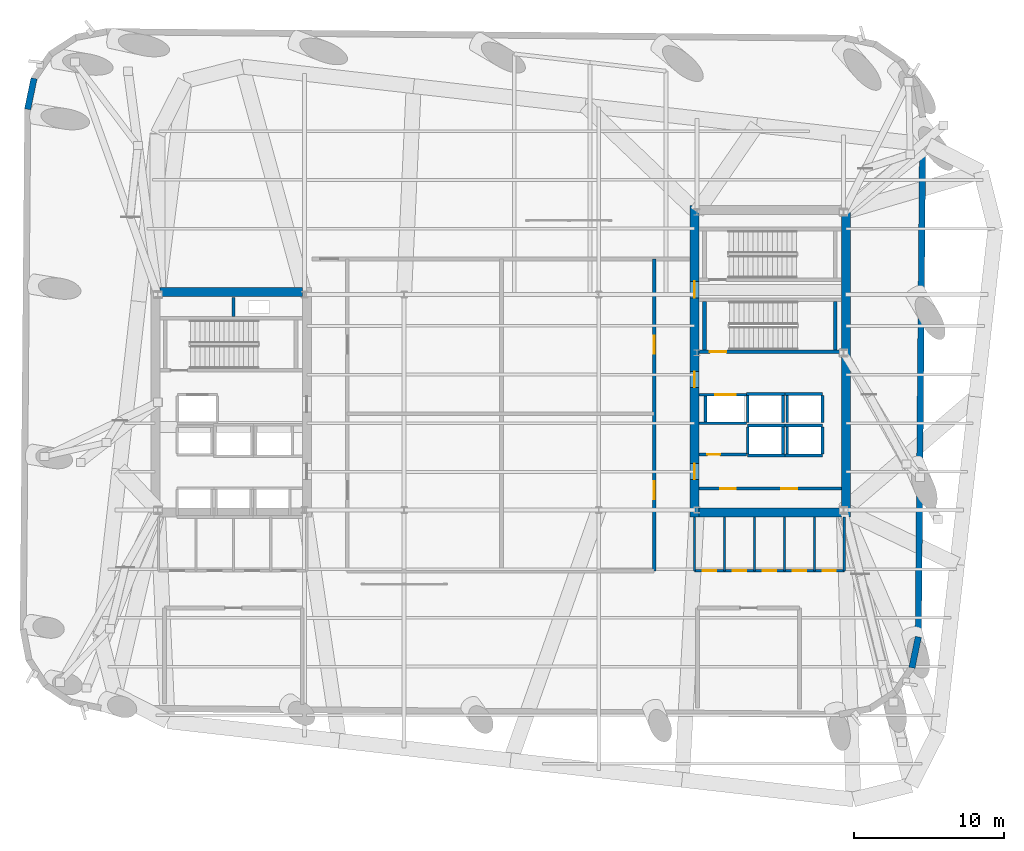
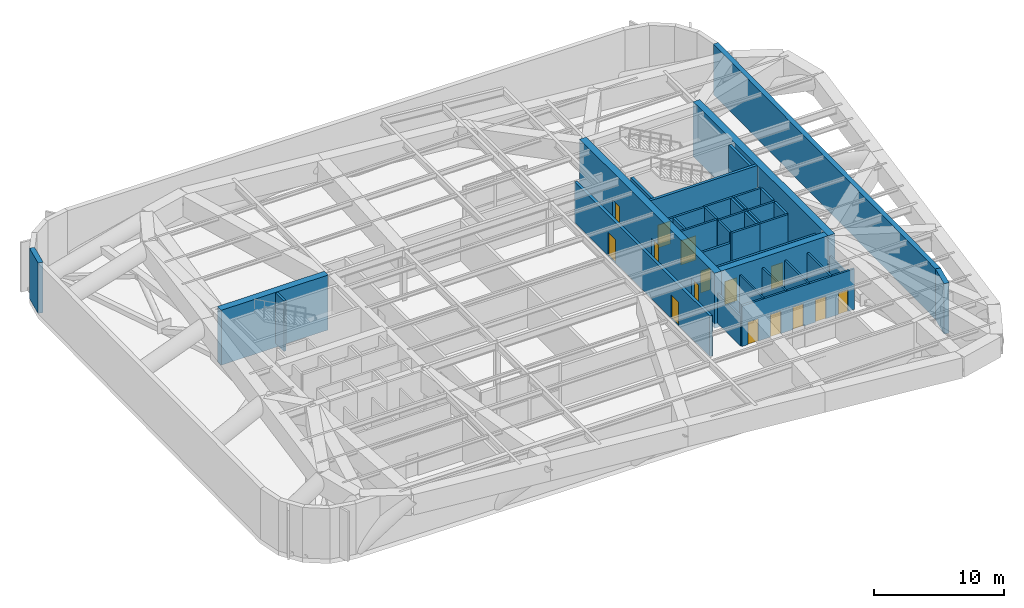
# One storey, part 8 of 13: 38 walls, 15 doors, 15 openings.
"""IFC4 building model written with IfcOpenShell, lengths in metres."""

import ifcopenshell
import ifcopenshell.guid

model = None  # the IFC model being written
_history = None  # IfcOwnerHistory: only IFC2X3 demands one
_inside = {}  # id of a spatial element -> (the spatial element, [elements in it])
_under = {}  # id of a project, library or spatial element -> (it, [spatial elements below it])
_declared = {}  # id of a project -> (the project, [libraries it declares])
_typed = {}  # id of a type object -> (the type object, [elements of that type])
_made_of = {}  # id of a material, layer set ... -> (it, [elements and type objects made of it])


def new_model(schema):
    """Start an empty IFC model of exactly this schema.

    Asked for "IFC4X3", IfcOpenShell would pick the latest addendum, in which some entities
    have other attributes; the version numbers below select the first issue.
    IFC2X3 requires an IfcOwnerHistory on every rooted entity: one is made here for all.
    """
    global model, _history
    if schema == "IFC4X3":
        model = ifcopenshell.file(schema_version=(4, 3, 0, 0))
    else:
        model = ifcopenshell.file(schema=schema)
    _inside.clear()
    _under.clear()
    _declared.clear()
    _typed.clear()
    _made_of.clear()
    _history = None
    if model.schema == "IFC2X3":
        org = make("IfcOrganization", Name="unknown")
        user = make(
            "IfcPersonAndOrganization",
            ThePerson=make("IfcPerson", FamilyName="unknown"),
            TheOrganization=org,
        )
        app = make(
            "IfcApplication",
            ApplicationDeveloper=org,
            Version="unknown",
            ApplicationFullName="unknown",
            ApplicationIdentifier="unknown",
        )
        _history = make(
            "IfcOwnerHistory",
            OwningUser=user,
            OwningApplication=app,
            ChangeAction="ADDED",
            CreationDate=0,
        )
    return model


def make(cls, **values):
    """One entity of the class cls with the attributes given. An attribute that is None is left unset."""
    return model.create_entity(
        cls, **{name: value for name, value in values.items() if value is not None}
    )


def rooted(cls, **values):
    """An entity with a GlobalId (a new one), such as an element, a storey or a relation."""
    return make(cls, GlobalId=ifcopenshell.guid.new(), OwnerHistory=_history, **values)


def si_unit(unit_type, name, prefix=None):
    """IfcSIUnit, for example si_unit("LENGTHUNIT", "METRE", prefix="MILLI")."""
    return make("IfcSIUnit", UnitType=unit_type, Prefix=prefix, Name=name)


def assignment(units):
    """IfcUnitAssignment: the units of a project."""
    return None if units is None else make("IfcUnitAssignment", Units=units)


def point(xyz):
    """IfcCartesianPoint."""
    return None if xyz is None else make("IfcCartesianPoint", Coordinates=xyz)


def direction(xyz):
    """IfcDirection."""
    return None if xyz is None else make("IfcDirection", DirectionRatios=xyz)


def frame(location, z_axis=None, x_axis=None):
    """IfcAxis2Placement3D, a coordinate frame: its origin and axes. An axis left out is left unset."""
    return make(
        "IfcAxis2Placement3D",
        Location=point(location),
        Axis=direction(z_axis),
        RefDirection=direction(x_axis),
    )


def frame_2d(location, x_axis=None):
    """IfcAxis2Placement2D, a coordinate frame in the plane: its origin and x axis."""
    return make(
        "IfcAxis2Placement2D", Location=point(location), RefDirection=direction(x_axis)
    )


def origin():
    """The frame at (0, 0, 0) with its axes left unset."""
    return frame((0.0, 0.0, 0.0))


def place(relative_to, where):
    """IfcLocalPlacement: puts the frame where relative to a parent placement (None: the world)."""
    return make(
        "IfcLocalPlacement", PlacementRelTo=relative_to, RelativePlacement=where
    )


def context(
    kind, dimensions, precision=None, world=None, true_north=None, identifier=None
):
    """IfcGeometricRepresentationContext, for example the 3D "Model" context."""
    return make(
        "IfcGeometricRepresentationContext",
        ContextIdentifier=identifier,
        ContextType=kind,
        CoordinateSpaceDimension=dimensions,
        Precision=precision,
        WorldCoordinateSystem=world,
        TrueNorth=true_north,
    )


def subcontext(parent, identifier, kind, view, scale=None):
    """IfcGeometricRepresentationSubContext, for example "Body" below "Model"."""
    return make(
        "IfcGeometricRepresentationSubContext",
        ContextIdentifier=identifier,
        ContextType=kind,
        ParentContext=parent,
        TargetScale=scale,
        TargetView=view,
    )


def project(units=None, contexts=None):
    """IfcProject with its units and contexts."""
    return rooted(
        "IfcProject",
        Name="project",
        RepresentationContexts=contexts,
        UnitsInContext=assignment(units),
    )


def spatial(cls, under=None, at=None, **own):
    """A site, building, storey or space (cls), placed at a placement, below another one or the project."""
    s = rooted(cls, ObjectPlacement=at, **own)
    if under is not None:
        _under.setdefault(under.id(), (under, []))[1].append(s)
    return s


def profile(cls, at=None, kind="AREA", **sizes):
    """A parametric profile (cls). Its sizes go by their IFC names, for example OverallWidth=200.0."""
    return make(cls, ProfileType=kind, Position=at, **sizes)


def rectangle(**sizes):
    """IfcRectangleProfileDef."""
    return profile("IfcRectangleProfileDef", **sizes)


def extrude(swept, where, along, depth):
    """IfcExtrudedAreaSolid: the profile swept, set in the frame where, extruded along a direction by depth."""
    return make(
        "IfcExtrudedAreaSolid",
        SweptArea=swept,
        Position=where,
        ExtrudedDirection=direction(along),
        Depth=depth,
    )


def shape(context_of_items, identifier, shape_type, items):
    """IfcShapeRepresentation: the items that make up one representation, for example the "Body"."""
    return make(
        "IfcShapeRepresentation",
        ContextOfItems=context_of_items,
        RepresentationIdentifier=identifier,
        RepresentationType=shape_type,
        Items=items,
    )


def material(Name=None, Category=None):
    """IfcMaterial."""
    return make("IfcMaterial", Name=Name, Category=Category)


def layer(
    of_material, thickness, ventilated=None, Name=None, Category=None, Priority=None
):
    """IfcMaterialLayer: one layer of a wall or slab, of a material (None: an air gap)."""
    return make(
        "IfcMaterialLayer",
        Material=of_material,
        LayerThickness=thickness,
        IsVentilated=ventilated,
        Name=Name,
        Category=Category,
        Priority=Priority,
    )


def layer_set(layers, Name=None):
    """IfcMaterialLayerSet."""
    return make("IfcMaterialLayerSet", MaterialLayers=layers, LayerSetName=Name)


def made_of(thing, what):
    """Note that an element or type object is made of a material, layer set ...; save() writes the relation."""
    if what is not None:
        _made_of.setdefault(what.id(), (what, []))[1].append(thing)
    return thing


def type_object(cls, material=None, **own):
    """A type object (cls), such as IfcWallType, which elements share."""
    return made_of(rooted(cls, **own), material)


def element(
    cls,
    number,
    at=None,
    inside=None,
    cuts=None,
    type_object=None,
    material=None,
    context=None,
    identifier="Body",
    shape_type=None,
    held_by="IfcProductDefinitionShape",
    body=None,
    shapes=None,
    **own,
):
    """One element of the class cls, such as IfcWall. Its Tag is "e" and its number.

    at: its placement. inside: the storey or other place that contains it. cuts: it is an
    opening in that element (IfcRelVoidsElement). A single representation is given by context,
    identifier, shape_type and body (its items); several are given by shapes. held_by: the class
    of the entity that holds the representations. save() writes the other relations.
    """
    e = rooted(cls, Tag="e%d" % number, ObjectPlacement=at, **own)
    if body is not None:
        shapes = [shape(context, identifier, shape_type, body)]
    if shapes is not None:
        e.Representation = make(held_by, Representations=shapes)
    if inside is not None:
        _inside.setdefault(inside.id(), (inside, []))[1].append(e)
    if cuts is not None:
        rooted(
            "IfcRelVoidsElement", RelatingBuildingElement=cuts, RelatedOpeningElement=e
        )
    if type_object is not None:
        _typed.setdefault(type_object.id(), (type_object, []))[1].append(e)
    return made_of(e, material)


def fill(opening, filler):
    """IfcRelFillsElement: the door or window that sits in an opening."""
    return rooted(
        "IfcRelFillsElement",
        RelatingOpeningElement=opening,
        RelatedBuildingElement=filler,
    )


def aggregate(whole, parts):
    """IfcRelAggregates: a whole, such as a stair, and the parts it consists of."""
    return rooted("IfcRelAggregates", RelatingObject=whole, RelatedObjects=parts)


def save(model, path):
    """Write the relations noted so far, then the file.

    IfcRelAggregates (storeys below a building ...), IfcRelContainedInSpatialStructure (elements
    in a storey), IfcRelDefinesByType, IfcRelAssociatesMaterial and IfcRelDeclares: one each for
    every whole, place, type object, material and project.
    """
    for whole, parts in _under.values():
        aggregate(whole, parts)
    for where, things in _inside.values():
        rooted(
            "IfcRelContainedInSpatialStructure",
            RelatedElements=things,
            RelatingStructure=where,
        )
    for kind, things in _typed.values():
        rooted("IfcRelDefinesByType", RelatedObjects=things, RelatingType=kind)
    for what, things in _made_of.values():
        rooted("IfcRelAssociatesMaterial", RelatedObjects=things, RelatingMaterial=what)
    for by, libraries in _declared.values():
        rooted("IfcRelDeclares", RelatingContext=by, RelatedDefinitions=libraries)
    model.write(path)


model = new_model("IFC4")

# Units and contexts
model_context = context("Model", 3, precision=1e-05, world=origin(), true_north=direction((0.0, 1.0)))
body_context = subcontext(model_context, "Body", "Model", "MODEL_VIEW")
ifc_project = project(units=[si_unit("LENGTHUNIT", "METRE"), si_unit("AREAUNIT", "SQUARE_METRE"), si_unit("VOLUMEUNIT", "CUBIC_METRE"), si_unit("PLANEANGLEUNIT", "RADIAN"), si_unit("MASSUNIT", "GRAM", prefix="KILO")], contexts=[model_context])

# Site, building, storey
site_placement = place(None, origin())
site = spatial("IfcSite", under=ifc_project, at=site_placement, CompositionType="ELEMENT")
building_placement = place(site_placement, origin())
building = spatial("IfcBuilding", under=site, at=building_placement, Name="Kolvaren Arena Tower", CompositionType="ELEMENT")
storey_placement = place(building_placement, frame((0.0, 0.0, 210.949951171875)))
storey = spatial("IfcBuildingStorey", under=building, at=storey_placement, Name="L51", CompositionType="ELEMENT", Elevation=210.949951171875)

# Wall
ifc_material_1 = material(Name="Concrete 60 MPa", Category="concrete")
ifc_layer_1 = layer(ifc_material_1, 0.60009765625)
ifc_layer_set_1 = layer_set([ifc_layer_1], Name="Concrete 60 MPa")
wall_type_1 = type_object("IfcWallType", Name="CWALL-600", PredefinedType="SHEAR", material=ifc_layer_set_1)
wall_1_placement = place(storey_placement, frame((14.699951171875, 34.0, -0.419921875), z_axis=(0.0, 0.0, 1.0), x_axis=(1.0, 0.0, 0.0)))
element("IfcWall", 1, at=wall_1_placement, inside=storey, type_object=wall_type_1, Name="Core Shear Wall WC-NORTH (L51)", PredefinedType="SHEAR", context=body_context, shape_type="SweptSolid", body=[
    extrude(rectangle(XDim=9.5, YDim=0.60009765625, at=frame_2d((4.75, 0.0))), origin(), (0.0, 0.0, 1.0), 5.169921875),
])

# Wall, openings, doors
wall_2_placement = place(storey_placement, frame((50.39990234375, 19.0, -0.419921875), z_axis=(0.0, 0.0, 1.0), x_axis=(0.0, 1.0, 0.0)))
wall_2 = element("IfcWall", 2, at=wall_2_placement, inside=storey, type_object=wall_type_1, Name="Core Shear Wall EC-WEST (L51)", PredefinedType="SHEAR", context=body_context, shape_type="SweptSolid", body=[
    extrude(rectangle(XDim=20.800048828125, YDim=0.60009765625, at=frame_2d((10.39990234375, 0.0))), origin(), (0.0, 0.0, 1.0), 5.169921875),
])
opening_1_placement = place(wall_2_placement, frame((2.5, 0.0, 0.419921875)))
opening_1 = element("IfcOpeningElement", 3, at=opening_1_placement, cuts=wall_2, Name="Opening D04", PredefinedType="OPENING", context=body_context, shape_type="SweptSolid", body=[
    extrude(rectangle(XDim=1.050048828125, YDim=2.14990234375, at=frame_2d((0.52490234375, 1.074951171875))), frame((0.0, 0.31005859375, 0.0), z_axis=(0.0, -1.0, 0.0), x_axis=(1.0, 0.0, 0.0)), (0.0, 0.0, 1.0), 0.6201171875),
])
opening_2_placement = place(wall_2_placement, frame((8.64990234375, 0.0, 0.419921875)))
opening_2 = element("IfcOpeningElement", 4, at=opening_2_placement, cuts=wall_2, Name="Opening D04", PredefinedType="OPENING", context=body_context, shape_type="SweptSolid", body=[
    extrude(rectangle(XDim=1.050048828125, YDim=2.14990234375, at=frame_2d((0.52490234375, 1.074951171875))), frame((0.0, 0.31005859375, 0.0), z_axis=(0.0, -1.0, 0.0), x_axis=(1.0, 0.0, 0.0)), (0.0, 0.0, 1.0), 0.6201171875),
])
opening_3_placement = place(wall_2_placement, frame((14.6201171875, 0.0, 0.419921875)))
opening_3 = element("IfcOpeningElement", 5, at=opening_3_placement, cuts=wall_2, Name="Opening D03", PredefinedType="OPENING", context=body_context, shape_type="SweptSolid", body=[
    extrude(rectangle(XDim=1.10009765625, YDim=2.14990234375, at=frame_2d((0.550048828125, 1.074951171875))), frame((0.0, 0.31005859375, 0.0), z_axis=(0.0, -1.0, 0.0), x_axis=(1.0, 0.0, 0.0)), (0.0, 0.0, 1.0), 0.6201171875),
])
ifc_material_2 = material(Name="Fire-rated steel lobby door", Category="steel")
door_type_1 = type_object("IfcDoorType", Name="DOOR-FF-105", OperationType="NOTDEFINED", PredefinedType="DOOR", material=ifc_material_2)
door_1_placement = place(opening_1_placement, origin())
door_1 = element("IfcDoor", 6, at=door_1_placement, inside=storey, type_object=door_type_1, Name="East Lift Lobby Fire Door (L51)", OperationType="SINGLE_SWING_RIGHT", OverallHeight=2.14990234375, OverallWidth=1.050048828125, PredefinedType="DOOR", context=body_context, shape_type="SweptSolid", body=[
    extrude(rectangle(XDim=1.050048828125, YDim=2.14990234375, at=frame_2d((0.52490234375, 1.074951171875))), frame((0.0, 0.02490234375, 0.0), z_axis=(0.0, -1.0, 0.0), x_axis=(1.0, 0.0, 0.0)), (0.0, 0.0, 1.0), 0.050048828125),
])
fill(opening_1, door_1)
door_2_placement = place(opening_2_placement, origin())
door_2 = element("IfcDoor", 7, at=door_2_placement, inside=storey, type_object=door_type_1, Name="East Firefighter Vestibule Door (L51)", OperationType="SINGLE_SWING_LEFT", OverallHeight=2.14990234375, OverallWidth=1.050048828125, PredefinedType="DOOR", context=body_context, shape_type="SweptSolid", body=[
    extrude(rectangle(XDim=1.050048828125, YDim=2.14990234375, at=frame_2d((0.52490234375, 1.074951171875))), frame((0.0, 0.02490234375, 0.0), z_axis=(0.0, -1.0, 0.0), x_axis=(1.0, 0.0, 0.0)), (0.0, 0.0, 1.0), 0.050048828125),
])
fill(opening_2, door_2)
ifc_material_3 = material(Name="Fire-rated steel exit stair door", Category="steel")
door_type_2 = type_object("IfcDoorType", Name="DOOR-ST-110", OperationType="NOTDEFINED", PredefinedType="DOOR", material=ifc_material_3)
door_3_placement = place(opening_3_placement, origin())
door_3 = element("IfcDoor", 8, at=door_3_placement, inside=storey, type_object=door_type_2, Name="Stair ST-E2 Vestibule Fire Door (L51)", OperationType="SINGLE_SWING_LEFT", OverallHeight=2.14990234375, OverallWidth=1.10009765625, PredefinedType="DOOR", context=body_context, shape_type="SweptSolid", body=[
    extrude(rectangle(XDim=1.10009765625, YDim=2.14990234375, at=frame_2d((0.550048828125, 1.074951171875))), frame((0.0, 0.02490234375, 0.0), z_axis=(0.0, -1.0, 0.0), x_axis=(1.0, 0.0, 0.0)), (0.0, 0.0, 1.0), 0.050048828125),
])
fill(opening_3, door_3)

# Walls
wall_3_placement = place(storey_placement, frame((60.5, 19.0, -0.419921875), z_axis=(0.0, 0.0, 1.0), x_axis=(0.0, 1.0, 0.0)))
element("IfcWall", 9, at=wall_3_placement, inside=storey, type_object=wall_type_1, Name="Core Shear Wall EC-EAST (L51)", PredefinedType="SHEAR", context=body_context, shape_type="SweptSolid", body=[
    extrude(rectangle(XDim=20.800048828125, YDim=0.60009765625, at=frame_2d((10.39990234375, 0.0))), origin(), (0.0, 0.0, 1.0), 5.169921875),
])
wall_4_placement = place(storey_placement, frame((50.699951171875, 19.300048828125, -0.419921875), z_axis=(0.0, 0.0, 1.0), x_axis=(1.0, 0.0, 0.0)))
element("IfcWall", 10, at=wall_4_placement, inside=storey, type_object=wall_type_1, Name="Core Shear Wall EC-SOUTH (L51)", PredefinedType="SHEAR", context=body_context, shape_type="SweptSolid", body=[
    extrude(rectangle(XDim=9.5, YDim=0.60009765625, at=frame_2d((4.75, 0.0))), origin(), (0.0, 0.0, 1.0), 5.169921875),
])
ifc_material_4 = material(Name="Precast concrete C50/60", Category="concrete")
ifc_layer_2 = layer(ifc_material_4, 0.419921875)
ifc_layer_set_2 = layer_set([ifc_layer_2], Name="Precast concrete C50/60")
wall_type_2 = type_object("IfcWallType", Name="EXT-PIER1", PredefinedType="SOLIDWALL", material=ifc_layer_set_2)
wall_5_placement = place(storey_placement, frame((65.34130859375, 10.980712890625, 0.0), z_axis=(0.0, 0.0, 1.0), x_axis=(-0.203597929717, -0.97905458633, 0.0)))
element("IfcWall", 11, at=wall_5_placement, inside=storey, type_object=wall_type_2, Name="Exterior Precast Masonry-Frame Wall (L51)", PredefinedType="SOLIDWALL", context=body_context, shape_type="SweptSolid", body=[
    extrude(rectangle(XDim=2.10693359375, YDim=0.419921875, at=frame_2d((1.053466796875, 0.0))), origin(), (0.0, 0.0, 1.0), 4.75),
])
wall_6_placement = place(storey_placement, frame((65.640625, 45.738525390625, 0.0), z_axis=(0.0, 0.0, 1.0), x_axis=(-0.008727287311, -0.999961916503, 0.0)))
element("IfcWall", 12, at=wall_6_placement, inside=storey, type_object=wall_type_2, Name="Exterior Precast Masonry-Frame Wall (L51)", PredefinedType="SOLIDWALL", context=body_context, shape_type="SweptSolid", body=[
    extrude(rectangle(XDim=34.800048828125, YDim=0.419921875, at=frame_2d((17.39990234375, 0.0))), origin(), (0.0, 0.0, 1.0), 4.75),
])
wall_7_placement = place(storey_placement, frame((5.858642578125, 46.21923828125, 0.0), z_axis=(0.0, 0.0, 1.0), x_axis=(0.203597929717, 0.97905458633, 0.0)))
element("IfcWall", 13, at=wall_7_placement, inside=storey, type_object=wall_type_2, Name="Exterior Precast Masonry-Frame Wall (L51)", PredefinedType="SOLIDWALL", context=body_context, shape_type="SweptSolid", body=[
    extrude(rectangle(XDim=2.10693359375, YDim=0.419921875, at=frame_2d((1.053466796875, 0.0))), origin(), (0.0, 0.0, 1.0), 4.75),
])

# Wall, openings, doors
ifc_material_5 = material(Name="Concrete 40 MPa", Category="concrete")
ifc_layer_3 = layer(ifc_material_5, 0.199951171875)
ifc_layer_set_3 = layer_set([ifc_layer_3], Name="Concrete 40 MPa")
wall_type_3 = type_object("IfcWallType", Name="LOBBY-200", PredefinedType="SOLIDWALL", material=ifc_layer_set_3)
wall_8_placement = place(storey_placement, frame((50.699951171875, 20.8798828125, 0.0), z_axis=(0.0, 0.0, 1.0), x_axis=(1.0, 0.0, 0.0)))
wall_8 = element("IfcWall", 14, at=wall_8_placement, inside=storey, type_object=wall_type_3, Name="Core Shaft Wall (L51)", PredefinedType="SOLIDWALL", context=body_context, shape_type="SweptSolid", body=[
    extrude(rectangle(XDim=9.5, YDim=0.199951171875, at=frame_2d((4.75, 0.0))), origin(), (0.0, 0.0, 1.0), 3.81005859375),
])
opening_4_placement = place(wall_8_placement, frame((1.39990234375, 0.0, 0.0)))
opening_4 = element("IfcOpeningElement", 15, at=opening_4_placement, cuts=wall_8, Name="Opening D04", PredefinedType="OPENING", context=body_context, shape_type="SweptSolid", body=[
    extrude(rectangle(XDim=1.050048828125, YDim=2.14990234375, at=frame_2d((0.52490234375, 1.074951171875))), frame((0.0, 0.10986328125, 0.0), z_axis=(0.0, -1.0, 0.0), x_axis=(1.0, 0.0, 0.0)), (0.0, 0.0, 1.0), 0.219970703125),
])
opening_5_placement = place(wall_8_placement, frame((5.5, 0.0, 0.0)))
opening_5 = element("IfcOpeningElement", 16, at=opening_5_placement, cuts=wall_8, Name="Opening D04", PredefinedType="OPENING", context=body_context, shape_type="SweptSolid", body=[
    extrude(rectangle(XDim=1.050048828125, YDim=2.14990234375, at=frame_2d((0.52490234375, 1.074951171875))), frame((0.0, 0.10986328125, 0.0), z_axis=(0.0, -1.0, 0.0), x_axis=(1.0, 0.0, 0.0)), (0.0, 0.0, 1.0), 0.219970703125),
])
door_4_placement = place(opening_4_placement, origin())
door_4 = element("IfcDoor", 17, at=door_4_placement, inside=storey, type_object=door_type_1, Name="East Telecom Room Fire Door (L51)", OperationType="SINGLE_SWING_RIGHT", OverallHeight=2.14990234375, OverallWidth=1.050048828125, PredefinedType="DOOR", context=body_context, shape_type="SweptSolid", body=[
    extrude(rectangle(XDim=1.050048828125, YDim=2.14990234375, at=frame_2d((0.52490234375, 1.074951171875))), frame((0.0, 0.02490234375, 0.0), z_axis=(0.0, -1.0, 0.0), x_axis=(1.0, 0.0, 0.0)), (0.0, 0.0, 1.0), 0.050048828125),
])
fill(opening_4, door_4)
door_5_placement = place(opening_5_placement, origin())
door_5 = element("IfcDoor", 18, at=door_5_placement, inside=storey, type_object=door_type_1, Name="East Records Room Fire Door (L51)", OperationType="SINGLE_SWING_LEFT", OverallHeight=2.14990234375, OverallWidth=1.050048828125, PredefinedType="DOOR", context=body_context, shape_type="SweptSolid", body=[
    extrude(rectangle(XDim=1.050048828125, YDim=2.14990234375, at=frame_2d((0.52490234375, 1.074951171875))), frame((0.0, 0.02490234375, 0.0), z_axis=(0.0, -1.0, 0.0), x_axis=(1.0, 0.0, 0.0)), (0.0, 0.0, 1.0), 0.050048828125),
])
fill(opening_5, door_5)

# Wall, opening, door
wall_9_placement = place(storey_placement, frame((50.699951171875, 23.159912109375, 0.0), z_axis=(0.0, 0.0, 1.0), x_axis=(1.0, 0.0, 0.0)))
wall_9 = element("IfcWall", 19, at=wall_9_placement, inside=storey, type_object=wall_type_3, Name="Core Shaft Wall (L51)", PredefinedType="SOLIDWALL", context=body_context, shape_type="SweptSolid", body=[
    extrude(rectangle(XDim=3.179931640625, YDim=0.199951171875, at=frame_2d((1.58984375, 0.0))), origin(), (0.0, 0.0, 1.0), 3.81005859375),
])
opening_6_placement = place(wall_9_placement, frame((0.550048828125, 0.0, 0.0)))
opening_6 = element("IfcOpeningElement", 20, at=opening_6_placement, cuts=wall_9, Name="Opening D09", PredefinedType="OPENING", context=body_context, shape_type="SweptSolid", body=[
    extrude(rectangle(XDim=0.860107421875, YDim=2.050048828125, at=frame_2d((0.43017578125, 1.02490234375))), frame((0.0, 0.10986328125, 0.0), z_axis=(0.0, -1.0, 0.0), x_axis=(1.0, 0.0, 0.0)), (0.0, 0.0, 1.0), 0.219970703125),
])
ifc_material_6 = material(Name="Fire-rated steel riser access door", Category="steel")
door_type_3 = type_object("IfcDoorType", Name="DOOR-RS-086", OperationType="NOTDEFINED", PredefinedType="DOOR", material=ifc_material_6)
door_6_placement = place(opening_6_placement, origin())
door_6 = element("IfcDoor", 21, at=door_6_placement, inside=storey, type_object=door_type_3, Name="East AV Riser Closet Door (L51)", OperationType="SINGLE_SWING_LEFT", OverallHeight=2.050048828125, OverallWidth=0.860107421875, PredefinedType="DOOR", context=body_context, shape_type="SweptSolid", body=[
    extrude(rectangle(XDim=0.860107421875, YDim=2.050048828125, at=frame_2d((0.43017578125, 1.02490234375))), frame((0.0, 0.02490234375, 0.0), z_axis=(0.0, -1.0, 0.0), x_axis=(1.0, 0.0, 0.0)), (0.0, 0.0, 1.0), 0.050048828125),
])
fill(opening_6, door_6)

ifc_material_7 = material(Name="Concrete 45 MPa", Category="concrete")
ifc_layer_4 = layer(ifc_material_7, 0.25)
ifc_layer_set_4 = layer_set([ifc_layer_4], Name="Concrete 45 MPa")
wall_type_4 = type_object("IfcWallType", Name="SHAFT-250", PredefinedType="SOLIDWALL", material=ifc_layer_set_4)
wall_10_placement = place(storey_placement, frame((60.199951171875, 30.030029296875, 0.0), z_axis=(0.0, 0.0, 1.0), x_axis=(-1.0, 0.0, 0.0)))
wall_10 = element("IfcWall", 22, at=wall_10_placement, inside=storey, type_object=wall_type_4, Name="Core Shaft Wall (L51)", PredefinedType="SOLIDWALL", context=body_context, shape_type="SweptSolid", body=[
    extrude(rectangle(XDim=9.5, YDim=0.239990234375, at=frame_2d((4.75, 0.0))), origin(), (0.0, 0.0, 1.0), 4.75),
])
opening_7_placement = place(wall_10_placement, frame((7.679931640625, 0.0, 0.0)))
opening_7 = element("IfcOpeningElement", 23, at=opening_7_placement, cuts=wall_10, Name="Opening D03", PredefinedType="OPENING", context=body_context, shape_type="SweptSolid", body=[
    extrude(rectangle(XDim=1.10009765625, YDim=2.14990234375, at=frame_2d((0.550048828125, 1.074951171875))), frame((0.0, 0.1298828125, 0.0), z_axis=(0.0, -1.0, 0.0), x_axis=(1.0, 0.0, 0.0)), (0.0, 0.0, 1.0), 0.260009765625),
])
door_7_placement = place(opening_7_placement, origin())
door_7 = element("IfcDoor", 24, at=door_7_placement, inside=storey, type_object=door_type_2, Name="Stair ST-E1 Fire Door (L51)", OperationType="SINGLE_SWING_LEFT", OverallHeight=2.14990234375, OverallWidth=1.10009765625, PredefinedType="DOOR", context=body_context, shape_type="SweptSolid", body=[
    extrude(rectangle(XDim=1.10009765625, YDim=2.14990234375, at=frame_2d((0.550048828125, 1.074951171875))), frame((0.0, 0.02490234375, 0.0), z_axis=(0.0, -1.0, 0.0), x_axis=(1.0, 0.0, 0.0)), (0.0, 0.0, 1.0), 0.050048828125),
])
fill(opening_7, door_7)

# Walls
for number, where, z_axis, x_axis, name in (
    (25, (51.06005859375, 30.14990234375, 0.0), (0.0, 0.0, 1.0), (0.0, 1.0, 0.0), "Core Shaft Wall (L51)"),
    (26, (59.780029296875, 30.14990234375, 0.0), (0.0, 0.0, 1.0), (0.0, 1.0, 0.0), "Core Shaft Wall (L51)"),
):
    element("IfcWall", number, at=place(storey_placement, frame(where, z_axis=z_axis, x_axis=x_axis)), inside=storey, type_object=wall_type_4, Name=name, PredefinedType="SOLIDWALL", context=body_context, shape_type="SweptSolid", body=[
        extrude(rectangle(XDim=3.22998046875, YDim=0.239990234375, at=frame_2d((1.614990234375, 0.0))), origin(), (0.0, 0.0, 1.0), 4.75),
    ])
wall_11_placement = place(storey_placement, frame((19.60009765625, 32.3701171875, 0.0), z_axis=(0.0, 0.0, 1.0), x_axis=(0.0, 1.0, 0.0)))
element("IfcWall", 27, at=wall_11_placement, inside=storey, type_object=wall_type_4, Name="Core Shaft Wall (L51)", PredefinedType="SOLIDWALL", context=body_context, shape_type="SweptSolid", body=[
    extrude(rectangle(XDim=1.27978515625, YDim=0.199951171875, at=frame_2d((0.639892578125, 0.0))), origin(), (0.0, 0.0, 1.0), 4.75),
])
for number, where, z_axis, x_axis, name in (
    (28, (53.93994140625, 25.10498046875, 0.0), (0.0, 0.0, 1.0), (1.0, 0.0, 0.0), "Core Shaft Wall (L51)"),
    (29, (53.93994140625, 23.094970703125, 0.0), (0.0, 0.0, 1.0), (1.0, 0.0, 0.0), "Core Shaft Wall (L51)"),
):
    element("IfcWall", number, at=place(storey_placement, frame(where, z_axis=z_axis, x_axis=x_axis)), inside=storey, type_object=wall_type_4, Name=name, PredefinedType="SOLIDWALL", context=body_context, shape_type="SweptSolid", body=[
        extrude(rectangle(XDim=2.5, YDim=0.179931640625, at=frame_2d((1.25, 0.0))), origin(), (0.0, 0.0, 1.0), 4.75),
    ])
for number, where, z_axis, x_axis, name in (
    (30, (53.93994140625, 23.18505859375, 0.0), (0.0, 0.0, 1.0), (0.0, 1.0, 0.0), "Core Shaft Wall (L51)"),
    (31, (56.300048828125, 23.18505859375, 0.0), (0.0, 0.0, 1.0), (0.0, 1.0, 0.0), "Core Shaft Wall (L51)"),
):
    element("IfcWall", number, at=place(storey_placement, frame(where, z_axis=z_axis, x_axis=x_axis)), inside=storey, type_object=wall_type_4, Name=name, PredefinedType="SOLIDWALL", context=body_context, shape_type="SweptSolid", body=[
        extrude(rectangle(XDim=1.829833984375, YDim=0.179931640625, at=frame_2d((0.9150390625, 0.0))), origin(), (0.0, 0.0, 1.0), 4.75),
    ])
for number, where, z_axis, x_axis, name in (
    (32, (56.43994140625, 25.10498046875, 0.0), (0.0, 0.0, 1.0), (1.0, 0.0, 0.0), "Core Shaft Wall (L51)"),
    (33, (56.43994140625, 23.094970703125, 0.0), (0.0, 0.0, 1.0), (1.0, 0.0, 0.0), "Core Shaft Wall (L51)"),
):
    element("IfcWall", number, at=place(storey_placement, frame(where, z_axis=z_axis, x_axis=x_axis)), inside=storey, type_object=wall_type_4, Name=name, PredefinedType="SOLIDWALL", context=body_context, shape_type="SweptSolid", body=[
        extrude(rectangle(XDim=2.5, YDim=0.179931640625, at=frame_2d((1.25, 0.0))), origin(), (0.0, 0.0, 1.0), 4.75),
    ])
for number, where, z_axis, x_axis, name in (
    (34, (56.580078125, 23.18505859375, 0.0), (0.0, 0.0, 1.0), (0.0, 1.0, 0.0), "Core Shaft Wall (L51)"),
    (35, (58.93994140625, 23.18505859375, 0.0), (0.0, 0.0, 1.0), (0.0, 1.0, 0.0), "Core Shaft Wall (L51)"),
):
    element("IfcWall", number, at=place(storey_placement, frame(where, z_axis=z_axis, x_axis=x_axis)), inside=storey, type_object=wall_type_4, Name=name, PredefinedType="SOLIDWALL", context=body_context, shape_type="SweptSolid", body=[
        extrude(rectangle(XDim=1.829833984375, YDim=0.179931640625, at=frame_2d((0.9150390625, 0.0))), origin(), (0.0, 0.0, 1.0), 4.75),
    ])
wall_12_placement = place(storey_placement, frame((53.864990234375, 27.205078125, 0.0), z_axis=(0.0, 0.0, 1.0), x_axis=(1.0, 0.0, 0.0)))
element("IfcWall", 36, at=wall_12_placement, inside=storey, type_object=wall_type_4, Name="Core Shaft Wall (L51)", PredefinedType="SOLIDWALL", context=body_context, shape_type="SweptSolid", body=[
    extrude(rectangle(XDim=2.574951171875, YDim=0.179931640625, at=frame_2d((1.28759765625, 0.0))), origin(), (0.0, 0.0, 1.0), 4.75),
])
for number, where, z_axis, x_axis, name in (
    (37, (53.93994140625, 25.284912109375, 0.0), (0.0, 0.0, 1.0), (0.0, 1.0, 0.0), "Core Shaft Wall (L51)"),
    (38, (56.300048828125, 25.284912109375, 0.0), (0.0, 0.0, 1.0), (0.0, 1.0, 0.0), "Core Shaft Wall (L51)"),
):
    element("IfcWall", number, at=place(storey_placement, frame(where, z_axis=z_axis, x_axis=x_axis)), inside=storey, type_object=wall_type_4, Name=name, PredefinedType="SOLIDWALL", context=body_context, shape_type="SweptSolid", body=[
        extrude(rectangle(XDim=1.830078125, YDim=0.179931640625, at=frame_2d((0.9150390625, 0.0))), origin(), (0.0, 0.0, 1.0), 4.75),
    ])
wall_13_placement = place(storey_placement, frame((56.43994140625, 27.205078125, 0.0), z_axis=(0.0, 0.0, 1.0), x_axis=(1.0, 0.0, 0.0)))
element("IfcWall", 39, at=wall_13_placement, inside=storey, type_object=wall_type_4, Name="Core Shaft Wall (L51)", PredefinedType="SOLIDWALL", context=body_context, shape_type="SweptSolid", body=[
    extrude(rectangle(XDim=2.5, YDim=0.179931640625, at=frame_2d((1.25, 0.0))), origin(), (0.0, 0.0, 1.0), 4.75),
])
for number, where, z_axis, x_axis, name in (
    (40, (56.580078125, 25.284912109375, 0.0), (0.0, 0.0, 1.0), (0.0, 1.0, 0.0), "Core Shaft Wall (L51)"),
    (41, (58.93994140625, 25.284912109375, 0.0), (0.0, 0.0, 1.0), (0.0, 1.0, 0.0), "Core Shaft Wall (L51)"),
):
    element("IfcWall", number, at=place(storey_placement, frame(where, z_axis=z_axis, x_axis=x_axis)), inside=storey, type_object=wall_type_4, Name=name, PredefinedType="SOLIDWALL", context=body_context, shape_type="SweptSolid", body=[
        extrude(rectangle(XDim=1.830078125, YDim=0.179931640625, at=frame_2d((0.9150390625, 0.0))), origin(), (0.0, 0.0, 1.0), 4.75),
    ])

# Wall, opening, door
wall_14_placement = place(storey_placement, frame((50.699951171875, 27.155029296875, 0.0), z_axis=(0.0, 0.0, 1.0), x_axis=(1.0, 0.0, 0.0)))
wall_14 = element("IfcWall", 42, at=wall_14_placement, inside=storey, type_object=wall_type_4, Name="Core Shaft Wall (L51)", PredefinedType="SOLIDWALL", context=body_context, shape_type="SweptSolid", body=[
    extrude(rectangle(XDim=3.1650390625, YDim=0.179931640625, at=frame_2d((1.58251953125, 0.0))), origin(), (0.0, 0.0, 1.0), 4.75),
])
opening_8_placement = place(wall_14_placement, frame((1.0849609375, 0.0, 0.0)))
opening_8 = element("IfcOpeningElement", 43, at=opening_8_placement, cuts=wall_14, Name="Opening LD2", PredefinedType="OPENING", context=body_context, shape_type="SweptSolid", body=[
    extrude(rectangle(XDim=1.35009765625, YDim=2.300048828125, at=frame_2d((0.675048828125, 1.14990234375))), frame((0.0, 0.099853515625, 0.0), z_axis=(0.0, -1.0, 0.0), x_axis=(1.0, 0.0, 0.0)), (0.0, 0.0, 1.0), 0.199951171875),
])
ifc_material_8 = material(Name="Stainless steel firefighter lift landing door", Category="steel")
door_type_4 = type_object("IfcDoorType", Name="DOOR-LD-135", OperationType="DOUBLE_DOOR_SLIDING", PredefinedType="DOOR", material=ifc_material_8)
door_8_placement = place(opening_8_placement, origin())
door_8 = element("IfcDoor", 44, at=door_8_placement, inside=storey, type_object=door_type_4, Name="Firefighter Lift FF-E1 Landing Door (L51)", OperationType="DOUBLE_DOOR_SLIDING", OverallHeight=2.300048828125, OverallWidth=1.35009765625, PredefinedType="DOOR", context=body_context, shape_type="SweptSolid", body=[
    extrude(rectangle(XDim=1.35009765625, YDim=2.300048828125, at=frame_2d((0.675048828125, 1.14990234375))), frame((0.0, 0.02490234375, 0.0), z_axis=(0.0, -1.0, 0.0), x_axis=(1.0, 0.0, 0.0)), (0.0, 0.0, 1.0), 0.050048828125),
])
fill(opening_8, door_8)

# Walls
wall_15_placement = place(storey_placement, frame((50.699951171875, 25.2451171875, 0.0), z_axis=(0.0, 0.0, 1.0), x_axis=(1.0, 0.0, 0.0)))
element("IfcWall", 45, at=wall_15_placement, inside=storey, type_object=wall_type_4, Name="Core Shaft Wall (L51)", PredefinedType="SOLIDWALL", context=body_context, shape_type="SweptSolid", body=[
    extrude(rectangle(XDim=3.1650390625, YDim=0.179931640625, at=frame_2d((1.58251953125, 0.0))), origin(), (0.0, 0.0, 1.0), 4.75),
])
wall_16_placement = place(storey_placement, frame((51.1298828125, 25.3349609375, 0.0), z_axis=(0.0, 0.0, 1.0), x_axis=(0.0, 1.0, 0.0)))
element("IfcWall", 46, at=wall_16_placement, inside=storey, type_object=wall_type_4, Name="Core Shaft Wall (L51)", PredefinedType="SOLIDWALL", context=body_context, shape_type="SweptSolid", body=[
    extrude(rectangle(XDim=1.72998046875, YDim=0.179931640625, at=frame_2d((0.864990234375, 0.0))), origin(), (0.0, 0.0, 1.0), 4.75),
])

# Wall, openings, doors
wall_17_placement = place(storey_placement, frame((50.39990234375, 15.39990234375, 0.0), z_axis=(0.0, 0.0, 1.0), x_axis=(1.0, 0.0, 0.0)))
wall_17 = element("IfcWall", 47, at=wall_17_placement, inside=storey, type_object=wall_type_4, Name="Interior Partition Wall (L51)", PredefinedType="SOLIDWALL", context=body_context, shape_type="SweptSolid", body=[
    extrude(rectangle(XDim=10.0, YDim=0.179931640625, at=frame_2d((5.0, 0.0))), origin(), (0.0, 0.0, 1.0), 3.81005859375),
])
opening_9_placement = place(wall_17_placement, frame((0.5400390625, 0.0, 0.0)))
opening_9 = element("IfcOpeningElement", 48, at=opening_9_placement, cuts=wall_17, Name="Opening D07", PredefinedType="OPENING", context=body_context, shape_type="SweptSolid", body=[
    extrude(rectangle(XDim=0.919921875, YDim=2.10009765625, at=frame_2d((0.4599609375, 1.050048828125))), frame((0.0, 0.099853515625, 0.0), z_axis=(0.0, -1.0, 0.0), x_axis=(1.0, 0.0, 0.0)), (0.0, 0.0, 1.0), 0.199951171875),
])
opening_10_placement = place(wall_17_placement, frame((2.5400390625, 0.0, 0.0)))
opening_10 = element("IfcOpeningElement", 49, at=opening_10_placement, cuts=wall_17, Name="Opening D07", PredefinedType="OPENING", context=body_context, shape_type="SweptSolid", body=[
    extrude(rectangle(XDim=0.919921875, YDim=2.10009765625, at=frame_2d((0.4599609375, 1.050048828125))), frame((0.0, 0.099853515625, 0.0), z_axis=(0.0, -1.0, 0.0), x_axis=(1.0, 0.0, 0.0)), (0.0, 0.0, 1.0), 0.199951171875),
])
opening_11_placement = place(wall_17_placement, frame((4.5400390625, 0.0, 0.0)))
opening_11 = element("IfcOpeningElement", 50, at=opening_11_placement, cuts=wall_17, Name="Opening D07", PredefinedType="OPENING", context=body_context, shape_type="SweptSolid", body=[
    extrude(rectangle(XDim=0.919921875, YDim=2.10009765625, at=frame_2d((0.4599609375, 1.050048828125))), frame((0.0, 0.099853515625, 0.0), z_axis=(0.0, -1.0, 0.0), x_axis=(1.0, 0.0, 0.0)), (0.0, 0.0, 1.0), 0.199951171875),
])
opening_12_placement = place(wall_17_placement, frame((6.5400390625, 0.0, 0.0)))
opening_12 = element("IfcOpeningElement", 51, at=opening_12_placement, cuts=wall_17, Name="Opening D07", PredefinedType="OPENING", context=body_context, shape_type="SweptSolid", body=[
    extrude(rectangle(XDim=0.919921875, YDim=2.10009765625, at=frame_2d((0.4599609375, 1.050048828125))), frame((0.0, 0.099853515625, 0.0), z_axis=(0.0, -1.0, 0.0), x_axis=(1.0, 0.0, 0.0)), (0.0, 0.0, 1.0), 0.199951171875),
])
opening_13_placement = place(wall_17_placement, frame((8.570068359375, 0.0, 0.0)))
opening_13 = element("IfcOpeningElement", 52, at=opening_13_placement, cuts=wall_17, Name="Opening D09", PredefinedType="OPENING", context=body_context, shape_type="SweptSolid", body=[
    extrude(rectangle(XDim=0.860107421875, YDim=2.050048828125, at=frame_2d((0.43017578125, 1.02490234375))), frame((0.0, 0.099853515625, 0.0), z_axis=(0.0, -1.0, 0.0), x_axis=(1.0, 0.0, 0.0)), (0.0, 0.0, 1.0), 0.199951171875),
])
door_9_placement = place(opening_13_placement, origin())
door_9 = element("IfcDoor", 53, at=door_9_placement, inside=storey, type_object=door_type_3, Name="Telecom Riser Closet Door (L51)", OperationType="SINGLE_SWING_LEFT", OverallHeight=2.050048828125, OverallWidth=0.860107421875, PredefinedType="DOOR", context=body_context, shape_type="SweptSolid", body=[
    extrude(rectangle(XDim=0.860107421875, YDim=2.050048828125, at=frame_2d((0.43017578125, 1.02490234375))), frame((0.0, 0.02490234375, 0.0), z_axis=(0.0, -1.0, 0.0), x_axis=(1.0, 0.0, 0.0)), (0.0, 0.0, 1.0), 0.050048828125),
])
fill(opening_13, door_9)
ifc_material_9 = material(Name="Laminate universal washroom door", Category="wood")
door_type_5 = type_object("IfcDoorType", Name="DOOR-WC-092", OperationType="NOTDEFINED", PredefinedType="DOOR", material=ifc_material_9)
door_10_placement = place(opening_9_placement, origin())
door_10 = element("IfcDoor", 54, at=door_10_placement, inside=storey, type_object=door_type_5, Name="First Aid Store Door (L51)", OperationType="SINGLE_SWING_LEFT", OverallHeight=2.10009765625, OverallWidth=0.919921875, PredefinedType="DOOR", context=body_context, shape_type="SweptSolid", body=[
    extrude(rectangle(XDim=0.919921875, YDim=2.10009765625, at=frame_2d((0.4599609375, 1.050048828125))), frame((0.0, 0.02490234375, 0.0), z_axis=(0.0, -1.0, 0.0), x_axis=(1.0, 0.0, 0.0)), (0.0, 0.0, 1.0), 0.050048828125),
])
fill(opening_9, door_10)
door_11_placement = place(opening_10_placement, origin())
door_11 = element("IfcDoor", 55, at=door_11_placement, inside=storey, type_object=door_type_5, Name="Cleaner and Janitor Store Door (L51)", OperationType="SINGLE_SWING_RIGHT", OverallHeight=2.10009765625, OverallWidth=0.919921875, PredefinedType="DOOR", context=body_context, shape_type="SweptSolid", body=[
    extrude(rectangle(XDim=0.919921875, YDim=2.10009765625, at=frame_2d((0.4599609375, 1.050048828125))), frame((0.0, 0.02490234375, 0.0), z_axis=(0.0, -1.0, 0.0), x_axis=(1.0, 0.0, 0.0)), (0.0, 0.0, 1.0), 0.050048828125),
])
fill(opening_10, door_11)
door_12_placement = place(opening_11_placement, origin())
door_12 = element("IfcDoor", 56, at=door_12_placement, inside=storey, type_object=door_type_5, Name="Staff Pantry Door (L51)", OperationType="SINGLE_SWING_LEFT", OverallHeight=2.10009765625, OverallWidth=0.919921875, PredefinedType="DOOR", context=body_context, shape_type="SweptSolid", body=[
    extrude(rectangle(XDim=0.919921875, YDim=2.10009765625, at=frame_2d((0.4599609375, 1.050048828125))), frame((0.0, 0.02490234375, 0.0), z_axis=(0.0, -1.0, 0.0), x_axis=(1.0, 0.0, 0.0)), (0.0, 0.0, 1.0), 0.050048828125),
])
fill(opening_11, door_12)
door_13_placement = place(opening_12_placement, origin())
door_13 = element("IfcDoor", 57, at=door_13_placement, inside=storey, type_object=door_type_5, Name="Gender-Neutral Washroom Door (L51)", OperationType="SINGLE_SWING_RIGHT", OverallHeight=2.10009765625, OverallWidth=0.919921875, PredefinedType="DOOR", context=body_context, shape_type="SweptSolid", body=[
    extrude(rectangle(XDim=0.919921875, YDim=2.10009765625, at=frame_2d((0.4599609375, 1.050048828125))), frame((0.0, 0.02490234375, 0.0), z_axis=(0.0, -1.0, 0.0), x_axis=(1.0, 0.0, 0.0)), (0.0, 0.0, 1.0), 0.050048828125),
])
fill(opening_12, door_13)

wall_18_placement = place(storey_placement, frame((47.699951171875, 15.3798828125, 0.0), z_axis=(0.0, 0.0, 1.0), x_axis=(0.0, 1.0, 0.0)))
wall_18 = element("IfcWall", 58, at=wall_18_placement, inside=storey, type_object=wall_type_4, Name="Interior Partition Wall (L51)", PredefinedType="SOLIDWALL", context=body_context, shape_type="SweptSolid", body=[
    extrude(rectangle(XDim=20.840087890625, YDim=0.25, at=frame_2d((10.419921875, 0.0))), origin(), (0.0, 0.0, 1.0), 3.81005859375),
])
opening_14_placement = place(wall_18_placement, frame((4.800048828125, 0.0, 0.0)))
opening_14 = element("IfcOpeningElement", 59, at=opening_14_placement, cuts=wall_18, Name="Opening D08", PredefinedType="OPENING", context=body_context, shape_type="SweptSolid", body=[
    extrude(rectangle(XDim=1.199951171875, YDim=2.199951171875, at=frame_2d((0.60009765625, 1.10009765625))), frame((0.0, 0.135009765625, 0.0), z_axis=(0.0, -1.0, 0.0), x_axis=(1.0, 0.0, 0.0)), (0.0, 0.0, 1.0), 0.27001953125),
])
opening_15_placement = place(wall_18_placement, frame((14.5, 0.0, 0.0)))
opening_15 = element("IfcOpeningElement", 60, at=opening_15_placement, cuts=wall_18, Name="Opening D08", PredefinedType="OPENING", context=body_context, shape_type="SweptSolid", body=[
    extrude(rectangle(XDim=1.199951171875, YDim=2.199951171875, at=frame_2d((0.60009765625, 1.10009765625))), frame((0.0, 0.135009765625, 0.0), z_axis=(0.0, -1.0, 0.0), x_axis=(1.0, 0.0, 0.0)), (0.0, 0.0, 1.0), 0.27001953125),
])
ifc_material_10 = material(Name="Fire-rated steel plant room door", Category="steel")
door_type_6 = type_object("IfcDoorType", Name="DOOR-PL-120", OperationType="NOTDEFINED", PredefinedType="DOOR", material=ifc_material_10)
door_14_placement = place(opening_14_placement, origin())
door_14 = element("IfcDoor", 61, at=door_14_placement, inside=storey, type_object=door_type_6, Name="Chiller Plant Door (L51)", OperationType="SINGLE_SWING_RIGHT", OverallHeight=2.199951171875, OverallWidth=1.199951171875, PredefinedType="DOOR", context=body_context, shape_type="SweptSolid", body=[
    extrude(rectangle(XDim=1.199951171875, YDim=2.199951171875, at=frame_2d((0.60009765625, 1.10009765625))), frame((0.0, 0.02490234375, 0.0), z_axis=(0.0, -1.0, 0.0), x_axis=(1.0, 0.0, 0.0)), (0.0, 0.0, 1.0), 0.050048828125),
])
fill(opening_14, door_14)
door_15_placement = place(opening_15_placement, origin())
door_15 = element("IfcDoor", 62, at=door_15_placement, inside=storey, type_object=door_type_6, Name="Switchgear Room Door (L51)", OperationType="SINGLE_SWING_LEFT", OverallHeight=2.199951171875, OverallWidth=1.199951171875, PredefinedType="DOOR", context=body_context, shape_type="SweptSolid", body=[
    extrude(rectangle(XDim=1.199951171875, YDim=2.199951171875, at=frame_2d((0.60009765625, 1.10009765625))), frame((0.0, 0.02490234375, 0.0), z_axis=(0.0, -1.0, 0.0), x_axis=(1.0, 0.0, 0.0)), (0.0, 0.0, 1.0), 0.050048828125),
])
fill(opening_15, door_15)

# Walls
ifc_material_11 = material(Name="Moisture-resistant gypsum assembly", Category="gypsum")
ifc_layer_5 = layer(ifc_material_11, 0.14990234375)
ifc_layer_set_5 = layer_set([ifc_layer_5], Name="Moisture-resistant gypsum assembly")
wall_type_5 = type_object("IfcWallType", Name="WETW-150", PredefinedType="PARTITIONING", material=ifc_layer_set_5)
for number, where, z_axis, x_axis, name in (
    (63, (52.39990234375, 15.39990234375, 0.0), (0.0, 0.0, 1.0), (0.0, 1.0, 0.0), "Interior Partition Wall (L51)"),
    (64, (54.39990234375, 15.39990234375, 0.0), (0.0, 0.0, 1.0), (0.0, 1.0, 0.0), "Interior Partition Wall (L51)"),
    (65, (56.39990234375, 15.39990234375, 0.0), (0.0, 0.0, 1.0), (0.0, 1.0, 0.0), "Interior Partition Wall (L51)"),
    (66, (58.39990234375, 15.39990234375, 0.0), (0.0, 0.0, 1.0), (0.0, 1.0, 0.0), "Interior Partition Wall (L51)"),
):
    element("IfcWall", number, at=place(storey_placement, frame(where, z_axis=z_axis, x_axis=x_axis)), inside=storey, type_object=wall_type_5, Name=name, PredefinedType="PARTITIONING", context=body_context, shape_type="SweptSolid", body=[
        extrude(rectangle(XDim=3.580078125, YDim=0.14990234375, at=frame_2d((1.7900390625, 0.0))), origin(), (0.0, 0.0, 1.0), 3.81005859375),
    ])
for number, where, z_axis, x_axis, name in (
    (67, (50.39990234375, 15.39990234375, 0.0), (0.0, 0.0, 1.0), (0.0, 1.0, 0.0), "Interior Partition Wall (L51)"),
    (68, (60.39990234375, 15.39990234375, 0.0), (0.0, 0.0, 1.0), (0.0, 1.0, 0.0), "Interior Partition Wall (L51)"),
):
    element("IfcWall", number, at=place(storey_placement, frame(where, z_axis=z_axis, x_axis=x_axis)), inside=storey, type_object=wall_type_5, Name=name, PredefinedType="PARTITIONING", context=body_context, shape_type="SweptSolid", body=[
        extrude(rectangle(XDim=3.580078125, YDim=0.14990234375, at=frame_2d((1.7900390625, 0.0))), origin(), (0.0, 0.0, 1.0), 2.800048828125),
    ])

save(model, "model.ifc")
